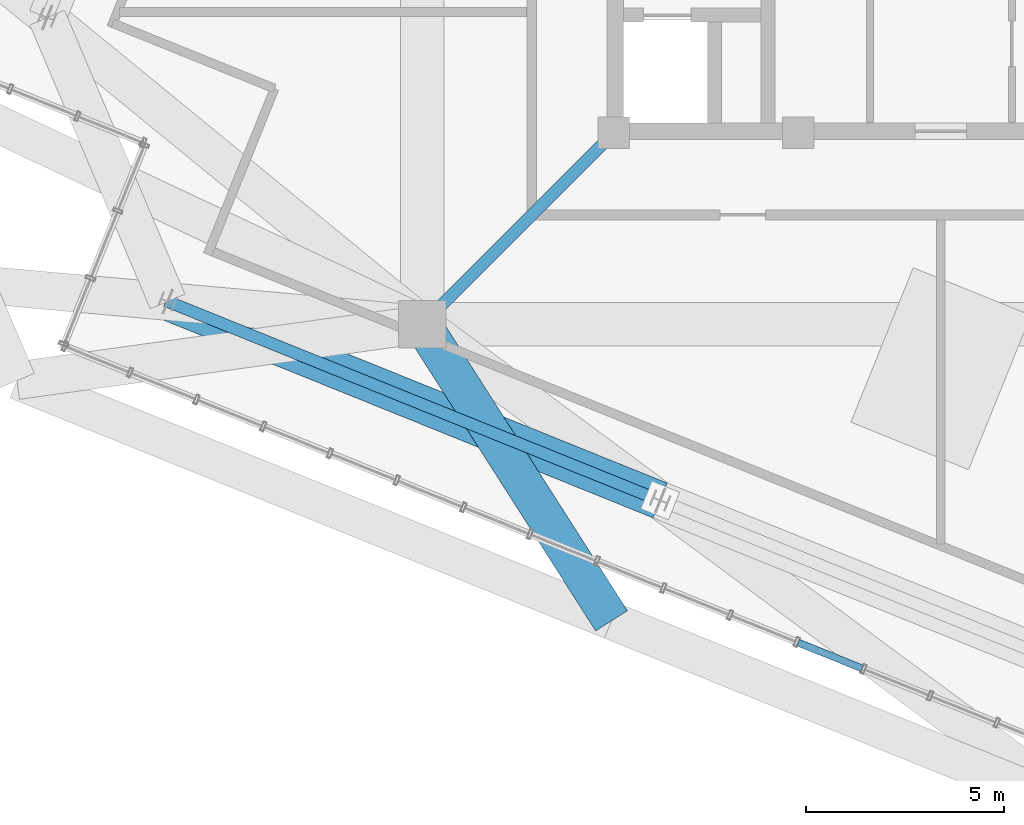
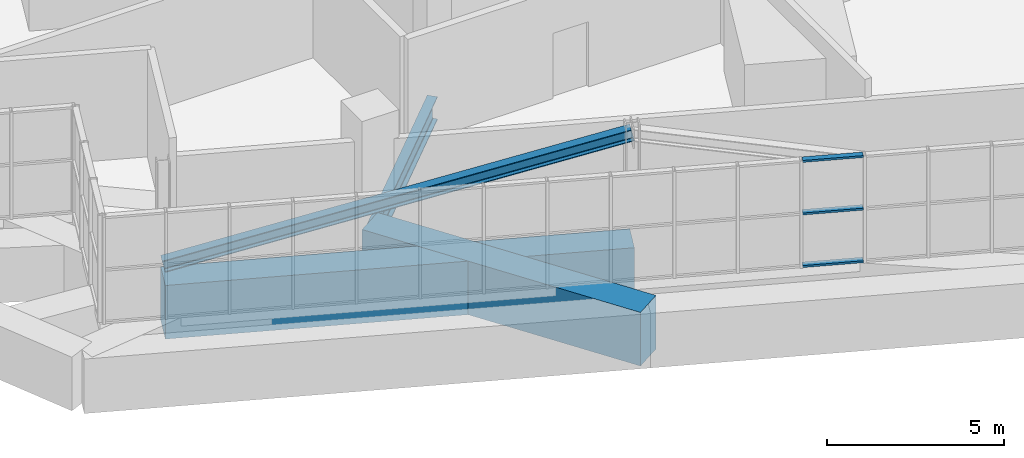
# One storey, part 5 of 35: 4 members, 3 beams, 1 element without a shape of its own.
"""IFC4 building model written with IfcOpenShell, lengths in metres."""

from ifc_helpers import new_model, si_unit, direction, frame, origin, origin_2d, place, context, subcontext, project, spatial, rectangle, hollow_rectangle, i_section, extrude, source, transform, mapped, material, layer, layer_set, material_profile, profile_set, type_object, element, aggregate, save


model = new_model("IFC4")

# Units and contexts
model_context = context("Model", 3, precision=1e-05, world=origin(), true_north=direction((0.0, 1.0)))
body_context = subcontext(model_context, "Body", "Model", "MODEL_VIEW")
ifc_project = project(units=[si_unit("LENGTHUNIT", "METRE"), si_unit("AREAUNIT", "SQUARE_METRE"), si_unit("VOLUMEUNIT", "CUBIC_METRE"), si_unit("PLANEANGLEUNIT", "RADIAN"), si_unit("MASSUNIT", "GRAM", prefix="KILO"), si_unit("THERMODYNAMICTEMPERATUREUNIT", "KELVIN")], contexts=[model_context])

# Site, building, storey
site_placement = place(None, origin())
site = spatial("IfcSite", under=ifc_project, at=site_placement, CompositionType="ELEMENT")
building_placement = place(site_placement, origin())
building = spatial("IfcBuilding", under=site, at=building_placement, Name="Kosmvard Interchange Tower", CompositionType="ELEMENT")
storey_placement = place(building_placement, frame((0.0, 0.0, 321.60009765625)))
storey = spatial("IfcBuildingStorey", under=building, at=storey_placement, Name="L79", CompositionType="ELEMENT", Elevation=321.60009765625)

# Beams
ifc_material_1 = material(Name="Steel S355", Category="steel")
ifc_material_profile_1 = material_profile(ifc_material_1, i_section(OverallWidth=0.300048828125, OverallDepth=0.800048828125, WebThickness=0.017578125, FlangeThickness=0.032958984375, FilletRadius=0.027099609375, at=origin_2d()), Name="HEB 800")
ifc_profile_set_1 = profile_set([ifc_material_profile_1], Name="Steel S355")
beam_type_1 = type_object("IfcBeamType", Name="Primary Mega-Frame Girder HEB 800 S355", PredefinedType="BEAM", material=ifc_profile_set_1)
shared_shape_1 = source(origin(), body_context, "Body", "SweptSolid", [
    extrude(i_section(OverallWidth=0.300048828125, OverallDepth=0.800048828125, WebThickness=0.017578125, FlangeThickness=0.032958984375, FilletRadius=0.027099609375, at=origin_2d()), origin(), (0.0, 0.0, 1.0), 6.83203125),
])
beam_1_placement = place(storey_placement, frame((-8.25, -8.25, -0.7001953125), z_axis=(-0.707106781187, -0.707106781187, 0.0), x_axis=(0.707106781187, -0.707106781187, 0.0)))
element("IfcBeam", 1, at=beam_1_placement, inside=storey, type_object=beam_type_1, Name="L79 Radial Mega-Frame Girder 1", PredefinedType="BEAM", context=body_context, shape_type="MappedRepresentation", body=[
    mapped(shared_shape_1, transform((0.0, 0.0, 0.0), scale=1.0)),
])
ifc_material_2 = material(Name="Concrete C60/75", Category="concrete")
ifc_material_profile_2 = material_profile(ifc_material_2, rectangle(XDim=0.949951171875, YDim=1.85009765625, at=origin_2d()), Name="TG 950x1850")
ifc_profile_set_2 = profile_set([ifc_material_profile_2], Name="Concrete C60/75")
beam_type_2 = type_object("IfcBeamType", Name="Upper Transfer Ring Girder 950x1850 C60/75", PredefinedType="USERDEFINED", material=ifc_profile_set_2)
shared_shape_2 = source(origin(), body_context, "Body", "SweptSolid", [
    extrude(rectangle(XDim=0.949951171875, YDim=1.85009765625, at=origin_2d()), origin(), (0.0, 0.0, 1.0), 8.873046875),
])
beam_2_placement = place(storey_placement, frame((-13.0810546875, -13.0810546875, -0.925048828125), z_axis=(0.538050011119, -0.842912916934, 0.0), x_axis=(0.842912916934, 0.538050011119, 0.0)))
element("IfcBeam", 2, at=beam_2_placement, inside=storey, type_object=beam_type_2, Name="BM-L79-LD11", ObjectType="TRANSFER_GIRDER", PredefinedType="USERDEFINED", context=body_context, shape_type="MappedRepresentation", body=[
    mapped(shared_shape_2, transform((0.0, 0.0, 0.0), scale=1.0)),
])
shared_shape_3 = source(origin(), body_context, "Body", "SweptSolid", [
    extrude(rectangle(XDim=0.949951171875, YDim=1.85009765625, at=origin_2d()), origin(), (0.0, 0.0, 1.0), 13.39990234375),
])
beam_3_placement = place(storey_placement, frame((-19.50439453125, -12.504150390625, -0.925048828125), z_axis=(0.927189515839, -0.374592580972, 0.0), x_axis=(0.374592580972, 0.927189515839, 0.0)))
element("IfcBeam", 3, at=beam_3_placement, inside=storey, type_object=beam_type_2, Name="BM-L79-PR10", ObjectType="TRANSFER_GIRDER", PredefinedType="USERDEFINED", context=body_context, shape_type="MappedRepresentation", body=[
    mapped(shared_shape_3, transform((0.0, 0.0, 0.0), scale=1.0)),
])

# Member
ifc_material_profile_3 = material_profile(ifc_material_1, i_section(OverallWidth=0.300048828125, OverallDepth=0.39990234375, WebThickness=0.013427734375, FlangeThickness=0.02392578125, FilletRadius=0.027099609375, at=origin_2d()), Name="HEB 400")
ifc_profile_set_3 = profile_set([ifc_material_profile_3], Name="Steel S355")
member_type_1 = type_object("IfcMemberType", Name="Lantern Crown Diagrid Brace HEB 400 S355", PredefinedType="BRACE", material=ifc_profile_set_3)
shared_shape_4 = source(origin(), body_context, "Body", "SweptSolid", [
    extrude(i_section(OverallWidth=0.300048828125, OverallDepth=0.39990234375, WebThickness=0.013427734375, FlangeThickness=0.02392578125, FilletRadius=0.027099609375, at=origin_2d()), origin(), (0.0, 0.0, 1.0), 13.78369140625),
])
member_1_placement = place(storey_placement, frame((-19.50439453125, -12.504150390625, 0.419921875), z_axis=(0.901373372792, -0.364162635972, 0.234332279859), x_axis=(0.374592580972, 0.927189515839, 0.0)))
element("IfcMember", 4, at=member_1_placement, inside=storey, type_object=member_type_1, Name="L79 Crown Lantern Diagrid Brace W1", PredefinedType="BRACE", context=body_context, shape_type="MappedRepresentation", body=[
    mapped(shared_shape_4, transform((0.0, 0.0, 0.0), scale=1.0)),
])

# Curtain wall, members
ifc_material_3 = material(Name="Architectural anodised aluminium", Category="aluminium")
ifc_layer = layer(ifc_material_3, 0.25, Name="Architectural anodised aluminium")
ifc_layer_set = layer_set([ifc_layer], Name="Architectural anodised aluminium")
curtain_wall_type = type_object("IfcCurtainWallType", Name="CW-6 Illuminated Crown Lantern Curtain Wall", PredefinedType="NOTDEFINED", material=ifc_layer_set)
curtain_wall_placement = place(storey_placement, origin())
curtain_wall = element("IfcCurtainWall", 5, at=curtain_wall_placement, inside=storey, type_object=curtain_wall_type, Name="L79 Crown Lantern Glazing Face 10", PredefinedType="NOTDEFINED")
ifc_material_profile_4 = material_profile(ifc_material_3, hollow_rectangle(XDim=0.179931640625, YDim=0.070068359375, WallThickness=0.0048828125, at=origin_2d()), Name="CWT 180x70x5")
ifc_profile_set_4 = profile_set([ifc_material_profile_4], Name="Architectural anodised aluminium")
member_type_2 = type_object("IfcMemberType", Name="Heavy Lantern CW Transom 180x70 Aluminium", PredefinedType="USERDEFINED", material=ifc_profile_set_4)
shared_shape_5 = source(origin(), body_context, "Body", "SweptSolid", [
    extrude(hollow_rectangle(XDim=0.179931640625, YDim=0.070068359375, WallThickness=0.0048828125, at=origin_2d()), origin(), (0.0, 0.0, 1.0), 1.734130859375),
])
member_2_placement = place(storey_placement, frame((-3.5947265625, -21.110595703125, 0.034912109375), z_axis=(0.927179782522, -0.374616671924, 0.0), x_axis=(0.374616671924, 0.927179782522, 0.0)))
member_2 = element("IfcMember", 6, at=member_2_placement, type_object=member_type_2, Name="CW-6 transom 12.1", ObjectType="TRANSOM", PredefinedType="USERDEFINED", context=body_context, shape_type="MappedRepresentation", body=[
    mapped(shared_shape_5, transform((0.0, 0.0, 0.0), scale=1.0)),
])
member_3_placement = place(storey_placement, frame((-3.5947265625, -21.110595703125, 1.849853515625), z_axis=(0.927179782522, -0.374616671924, 0.0), x_axis=(0.374616671924, 0.927179782522, 0.0)))
member_3 = element("IfcMember", 7, at=member_3_placement, type_object=member_type_2, Name="CW-6 transom 12.2", ObjectType="TRANSOM", PredefinedType="USERDEFINED", context=body_context, shape_type="MappedRepresentation", body=[
    mapped(shared_shape_5, transform((0.0, 0.0, 0.0), scale=1.0)),
])
member_4_placement = place(storey_placement, frame((-3.5947265625, -21.110595703125, 3.664794921875), z_axis=(0.927179782522, -0.374616671924, 0.0), x_axis=(0.374616671924, 0.927179782522, 0.0)))
member_4 = element("IfcMember", 8, at=member_4_placement, type_object=member_type_2, Name="CW-6 transom 12.3", ObjectType="TRANSOM", PredefinedType="USERDEFINED", context=body_context, shape_type="MappedRepresentation", body=[
    mapped(shared_shape_5, transform((0.0, 0.0, 0.0), scale=1.0)),
])
aggregate(curtain_wall, [member_2, member_3, member_4])

save(model, "model.ifc")
